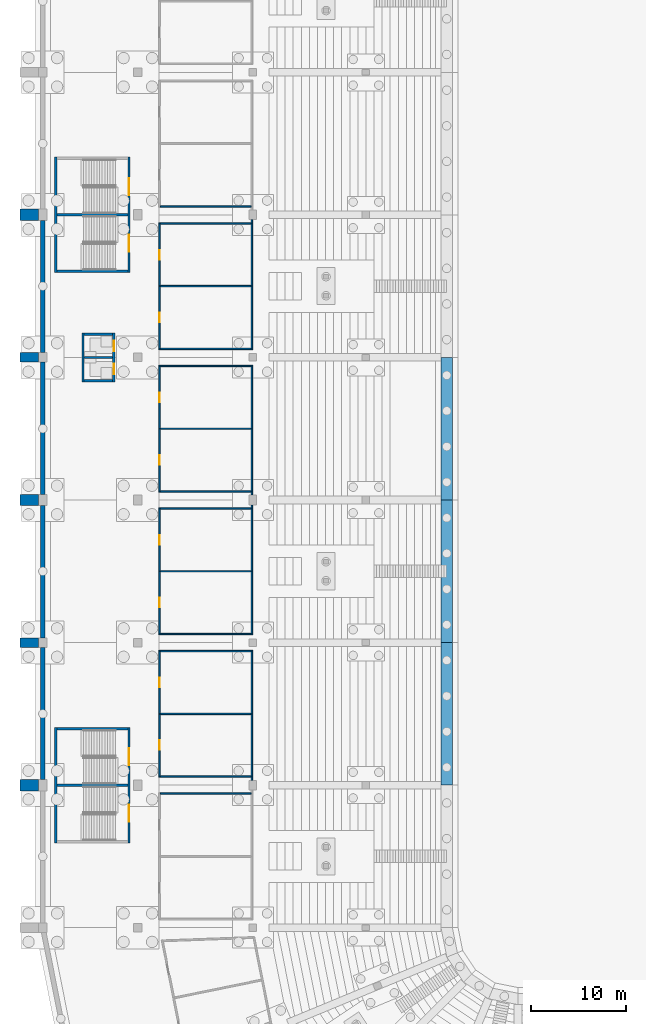
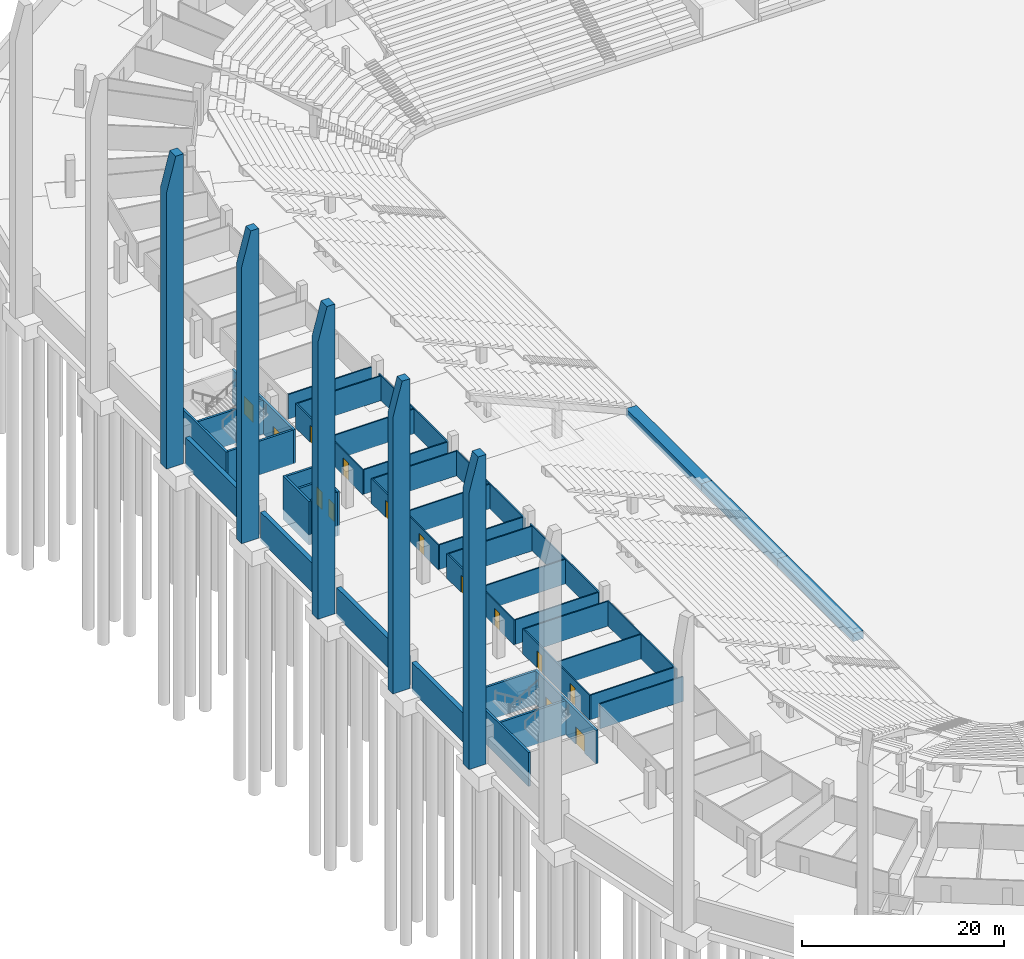
# One storey, part 25 of 115: 47 walls, 14 doors, 14 openings.
"""IFC4 building model written with IfcOpenShell, lengths in metres."""

import ifcopenshell
import ifcopenshell.guid

model = None  # the IFC model being written
_history = None  # IfcOwnerHistory: only IFC2X3 demands one
_inside = {}  # id of a spatial element -> (the spatial element, [elements in it])
_under = {}  # id of a project, library or spatial element -> (it, [spatial elements below it])
_declared = {}  # id of a project -> (the project, [libraries it declares])
_typed = {}  # id of a type object -> (the type object, [elements of that type])
_made_of = {}  # id of a material, layer set ... -> (it, [elements and type objects made of it])


def new_model(schema):
    """Start an empty IFC model of exactly this schema.

    Asked for "IFC4X3", IfcOpenShell would pick the latest addendum, in which some entities
    have other attributes; the version numbers below select the first issue.
    IFC2X3 requires an IfcOwnerHistory on every rooted entity: one is made here for all.
    """
    global model, _history
    if schema == "IFC4X3":
        model = ifcopenshell.file(schema_version=(4, 3, 0, 0))
    else:
        model = ifcopenshell.file(schema=schema)
    _inside.clear()
    _under.clear()
    _declared.clear()
    _typed.clear()
    _made_of.clear()
    _history = None
    if model.schema == "IFC2X3":
        org = make("IfcOrganization", Name="unknown")
        user = make(
            "IfcPersonAndOrganization",
            ThePerson=make("IfcPerson", FamilyName="unknown"),
            TheOrganization=org,
        )
        app = make(
            "IfcApplication",
            ApplicationDeveloper=org,
            Version="unknown",
            ApplicationFullName="unknown",
            ApplicationIdentifier="unknown",
        )
        _history = make(
            "IfcOwnerHistory",
            OwningUser=user,
            OwningApplication=app,
            ChangeAction="ADDED",
            CreationDate=0,
        )
    return model


def make(cls, **values):
    """One entity of the class cls with the attributes given. An attribute that is None is left unset."""
    return model.create_entity(
        cls, **{name: value for name, value in values.items() if value is not None}
    )


def rooted(cls, **values):
    """An entity with a GlobalId (a new one), such as an element, a storey or a relation."""
    return make(cls, GlobalId=ifcopenshell.guid.new(), OwnerHistory=_history, **values)


def si_unit(unit_type, name, prefix=None):
    """IfcSIUnit, for example si_unit("LENGTHUNIT", "METRE", prefix="MILLI")."""
    return make("IfcSIUnit", UnitType=unit_type, Prefix=prefix, Name=name)


def assignment(units):
    """IfcUnitAssignment: the units of a project."""
    return None if units is None else make("IfcUnitAssignment", Units=units)


def point(xyz):
    """IfcCartesianPoint."""
    return None if xyz is None else make("IfcCartesianPoint", Coordinates=xyz)


def direction(xyz):
    """IfcDirection."""
    return None if xyz is None else make("IfcDirection", DirectionRatios=xyz)


def frame(location, z_axis=None, x_axis=None):
    """IfcAxis2Placement3D, a coordinate frame: its origin and axes. An axis left out is left unset."""
    return make(
        "IfcAxis2Placement3D",
        Location=point(location),
        Axis=direction(z_axis),
        RefDirection=direction(x_axis),
    )


def frame_2d(location, x_axis=None):
    """IfcAxis2Placement2D, a coordinate frame in the plane: its origin and x axis."""
    return make(
        "IfcAxis2Placement2D", Location=point(location), RefDirection=direction(x_axis)
    )


def origin():
    """The frame at (0, 0, 0) with its axes left unset."""
    return frame((0.0, 0.0, 0.0))


def place(relative_to, where):
    """IfcLocalPlacement: puts the frame where relative to a parent placement (None: the world)."""
    return make(
        "IfcLocalPlacement", PlacementRelTo=relative_to, RelativePlacement=where
    )


def context(
    kind, dimensions, precision=None, world=None, true_north=None, identifier=None
):
    """IfcGeometricRepresentationContext, for example the 3D "Model" context."""
    return make(
        "IfcGeometricRepresentationContext",
        ContextIdentifier=identifier,
        ContextType=kind,
        CoordinateSpaceDimension=dimensions,
        Precision=precision,
        WorldCoordinateSystem=world,
        TrueNorth=true_north,
    )


def subcontext(parent, identifier, kind, view, scale=None):
    """IfcGeometricRepresentationSubContext, for example "Body" below "Model"."""
    return make(
        "IfcGeometricRepresentationSubContext",
        ContextIdentifier=identifier,
        ContextType=kind,
        ParentContext=parent,
        TargetScale=scale,
        TargetView=view,
    )


def project(units=None, contexts=None):
    """IfcProject with its units and contexts."""
    return rooted(
        "IfcProject",
        Name="project",
        RepresentationContexts=contexts,
        UnitsInContext=assignment(units),
    )


def spatial(cls, under=None, at=None, **own):
    """A site, building, storey or space (cls), placed at a placement, below another one or the project."""
    s = rooted(cls, ObjectPlacement=at, **own)
    if under is not None:
        _under.setdefault(under.id(), (under, []))[1].append(s)
    return s


def polyline(points):
    """IfcPolyline through the points."""
    return make("IfcPolyline", Points=[point(p) for p in points])


def profile(cls, at=None, kind="AREA", **sizes):
    """A parametric profile (cls). Its sizes go by their IFC names, for example OverallWidth=200.0."""
    return make(cls, ProfileType=kind, Position=at, **sizes)


def rectangle(**sizes):
    """IfcRectangleProfileDef."""
    return profile("IfcRectangleProfileDef", **sizes)


def outline(outer, holes=None, kind="AREA"):
    """IfcArbitraryClosedProfileDef: a profile drawn as a closed curve; with holes, ...WithVoids."""
    if holes is None:
        return make("IfcArbitraryClosedProfileDef", ProfileType=kind, OuterCurve=outer)
    return make(
        "IfcArbitraryProfileDefWithVoids",
        ProfileType=kind,
        OuterCurve=outer,
        InnerCurves=holes,
    )


def extrude(swept, where, along, depth):
    """IfcExtrudedAreaSolid: the profile swept, set in the frame where, extruded along a direction by depth."""
    return make(
        "IfcExtrudedAreaSolid",
        SweptArea=swept,
        Position=where,
        ExtrudedDirection=direction(along),
        Depth=depth,
    )


def shape(context_of_items, identifier, shape_type, items):
    """IfcShapeRepresentation: the items that make up one representation, for example the "Body"."""
    return make(
        "IfcShapeRepresentation",
        ContextOfItems=context_of_items,
        RepresentationIdentifier=identifier,
        RepresentationType=shape_type,
        Items=items,
    )


def material(Name=None, Category=None):
    """IfcMaterial."""
    return make("IfcMaterial", Name=Name, Category=Category)


def layer(
    of_material, thickness, ventilated=None, Name=None, Category=None, Priority=None
):
    """IfcMaterialLayer: one layer of a wall or slab, of a material (None: an air gap)."""
    return make(
        "IfcMaterialLayer",
        Material=of_material,
        LayerThickness=thickness,
        IsVentilated=ventilated,
        Name=Name,
        Category=Category,
        Priority=Priority,
    )


def layer_set(layers, Name=None):
    """IfcMaterialLayerSet."""
    return make("IfcMaterialLayerSet", MaterialLayers=layers, LayerSetName=Name)


def made_of(thing, what):
    """Note that an element or type object is made of a material, layer set ...; save() writes the relation."""
    if what is not None:
        _made_of.setdefault(what.id(), (what, []))[1].append(thing)
    return thing


def type_object(cls, material=None, **own):
    """A type object (cls), such as IfcWallType, which elements share."""
    return made_of(rooted(cls, **own), material)


def element(
    cls,
    number,
    at=None,
    inside=None,
    cuts=None,
    type_object=None,
    material=None,
    context=None,
    identifier="Body",
    shape_type=None,
    held_by="IfcProductDefinitionShape",
    body=None,
    shapes=None,
    **own,
):
    """One element of the class cls, such as IfcWall. Its Tag is "e" and its number.

    at: its placement. inside: the storey or other place that contains it. cuts: it is an
    opening in that element (IfcRelVoidsElement). A single representation is given by context,
    identifier, shape_type and body (its items); several are given by shapes. held_by: the class
    of the entity that holds the representations. save() writes the other relations.
    """
    e = rooted(cls, Tag="e%d" % number, ObjectPlacement=at, **own)
    if body is not None:
        shapes = [shape(context, identifier, shape_type, body)]
    if shapes is not None:
        e.Representation = make(held_by, Representations=shapes)
    if inside is not None:
        _inside.setdefault(inside.id(), (inside, []))[1].append(e)
    if cuts is not None:
        rooted(
            "IfcRelVoidsElement", RelatingBuildingElement=cuts, RelatedOpeningElement=e
        )
    if type_object is not None:
        _typed.setdefault(type_object.id(), (type_object, []))[1].append(e)
    return made_of(e, material)


def fill(opening, filler):
    """IfcRelFillsElement: the door or window that sits in an opening."""
    return rooted(
        "IfcRelFillsElement",
        RelatingOpeningElement=opening,
        RelatedBuildingElement=filler,
    )


def aggregate(whole, parts):
    """IfcRelAggregates: a whole, such as a stair, and the parts it consists of."""
    return rooted("IfcRelAggregates", RelatingObject=whole, RelatedObjects=parts)


def save(model, path):
    """Write the relations noted so far, then the file.

    IfcRelAggregates (storeys below a building ...), IfcRelContainedInSpatialStructure (elements
    in a storey), IfcRelDefinesByType, IfcRelAssociatesMaterial and IfcRelDeclares: one each for
    every whole, place, type object, material and project.
    """
    for whole, parts in _under.values():
        aggregate(whole, parts)
    for where, things in _inside.values():
        rooted(
            "IfcRelContainedInSpatialStructure",
            RelatedElements=things,
            RelatingStructure=where,
        )
    for kind, things in _typed.values():
        rooted("IfcRelDefinesByType", RelatedObjects=things, RelatingType=kind)
    for what, things in _made_of.values():
        rooted("IfcRelAssociatesMaterial", RelatedObjects=things, RelatingMaterial=what)
    for by, libraries in _declared.values():
        rooted("IfcRelDeclares", RelatingContext=by, RelatedDefinitions=libraries)
    model.write(path)


model = new_model("IFC4")

# Units and contexts
model_context = context("Model", 3, precision=1e-05, world=origin(), true_north=direction((0.0, 1.0)))
body_context = subcontext(model_context, "Body", "Model", "MODEL_VIEW")
ifc_project = project(units=[si_unit("LENGTHUNIT", "METRE"), si_unit("AREAUNIT", "SQUARE_METRE"), si_unit("VOLUMEUNIT", "CUBIC_METRE"), si_unit("PLANEANGLEUNIT", "RADIAN"), si_unit("MASSUNIT", "GRAM", prefix="KILO")], contexts=[model_context])

# Site, building, storey
site_placement = place(None, origin())
site = spatial("IfcSite", under=ifc_project, at=site_placement, CompositionType="ELEMENT")
building_placement = place(site_placement, origin())
building = spatial("IfcBuilding", under=site, at=building_placement, Name="Ogive Plaza Stadium", CompositionType="ELEMENT")
storey_placement = place(building_placement, frame((0.0, 0.0, -4.5)))
storey = spatial("IfcBuildingStorey", under=building, at=storey_placement, Name="B1", CompositionType="ELEMENT", Elevation=-4.5)

# Walls
ifc_material_1 = material(Name="Masonry blockwork", Category="masonry")
ifc_layer_1 = layer(ifc_material_1, 0.14990234375)
ifc_layer_set_1 = layer_set([ifc_layer_1], Name="Blockwork wall 150")
wall_type_1 = type_object("IfcWallType", Name="Blockwork wall 150", PredefinedType="SOLIDWALL", material=ifc_layer_set_1)
wall_1_placement = place(storey_placement, frame((-62.074951171875, -38.39990234375, 0.0), z_axis=(0.0, 0.0, 1.0), x_axis=(-1.0, 0.0, 0.0)))
element("IfcWall", 1, at=wall_1_placement, inside=storey, type_object=wall_type_1, Name="Wall B1 B21", PredefinedType="SOLIDWALL", context=body_context, shape_type="SweptSolid", body=[
    extrude(rectangle(XDim=9.550048828125, YDim=0.14990234375, at=frame_2d((4.77490234375, 0.0))), origin(), (0.0, 0.0, 1.0), 3.0),
])
wall_2_placement = place(storey_placement, frame((-62.0, -37.0, 0.0), z_axis=(0.0, 0.0, 1.0), x_axis=(0.0, 1.0, 0.0)))
element("IfcWall", 2, at=wall_2_placement, inside=storey, type_object=wall_type_1, Name="Wall B1 B22", PredefinedType="SOLIDWALL", context=body_context, shape_type="SweptSolid", body=[
    extrude(rectangle(XDim=13.675048828125, YDim=0.14990234375, at=frame_2d((6.83740234375, 0.0))), origin(), (0.0, 0.0, 1.0), 3.0),
])

# Wall, openings, doors
wall_3_placement = place(storey_placement, frame((-71.699951171875, -36.675048828125, 0.0), z_axis=(0.0, 0.0, 1.0), x_axis=(0.0, 1.0, 0.0)))
wall_3 = element("IfcWall", 3, at=wall_3_placement, inside=storey, type_object=wall_type_1, Name="Wall B1 B22", PredefinedType="SOLIDWALL", context=body_context, shape_type="SweptSolid", body=[
    extrude(rectangle(XDim=13.35009765625, YDim=0.14990234375, at=frame_2d((6.675048828125, 0.0))), origin(), (0.0, 0.0, 1.0), 3.0),
])
opening_1_placement = place(wall_3_placement, frame((2.875, 0.0, 0.0)))
opening_1 = element("IfcOpeningElement", 4, at=opening_1_placement, cuts=wall_3, Name="Opening D0339", PredefinedType="OPENING", context=body_context, shape_type="SweptSolid", body=[
    extrude(rectangle(XDim=1.0, YDim=2.10009765625, at=frame_2d((0.5, 1.050048828125))), frame((0.0, 0.074951171875, 0.0), z_axis=(0.0, -1.0, 0.0), x_axis=(1.0, 0.0, 0.0)), (0.0, 0.0, 1.0), 0.14990234375),
])
opening_2_placement = place(wall_3_placement, frame((9.47509765625, 0.0, 0.0)))
opening_2 = element("IfcOpeningElement", 5, at=opening_2_placement, cuts=wall_3, Name="Opening D0340", PredefinedType="OPENING", context=body_context, shape_type="SweptSolid", body=[
    extrude(rectangle(XDim=1.0, YDim=2.10009765625, at=frame_2d((0.5, 1.050048828125))), frame((0.0, 0.074951171875, 0.0), z_axis=(0.0, -1.0, 0.0), x_axis=(1.0, 0.0, 0.0)), (0.0, 0.0, 1.0), 0.14990234375),
])
ifc_material_2 = material(Name="Steel ASTM A572 Grade 50", Category="steel")
door_type_1 = type_object("IfcDoorType", Name="Fire door FD60 1000 x 2100", OperationType="SINGLE_SWING_LEFT", PredefinedType="DOOR", material=ifc_material_2)
door_1_placement = place(opening_1_placement, origin())
door_1 = element("IfcDoor", 6, at=door_1_placement, inside=storey, type_object=door_type_1, Name="Home Team Medical Room B22 door", OperationType="SINGLE_SWING_RIGHT", OverallHeight=2.10009765625, OverallWidth=1.0, PredefinedType="DOOR", context=body_context, shape_type="SweptSolid", body=[
    extrude(rectangle(XDim=1.0, YDim=2.10009765625, at=frame_2d((0.5, 1.050048828125))), frame((0.0, 0.02490234375, 0.0), z_axis=(0.0, -1.0, 0.0), x_axis=(1.0, 0.0, 0.0)), (0.0, 0.0, 1.0), 0.050048828125),
])
fill(opening_1, door_1)
door_2_placement = place(opening_2_placement, origin())
door_2 = element("IfcDoor", 7, at=door_2_placement, inside=storey, type_object=door_type_1, Name="Warm-up Room B22 door", OperationType="SINGLE_SWING_LEFT", OverallHeight=2.10009765625, OverallWidth=1.0, PredefinedType="DOOR", context=body_context, shape_type="SweptSolid", body=[
    extrude(rectangle(XDim=1.0, YDim=2.10009765625, at=frame_2d((0.5, 1.050048828125))), frame((0.0, 0.02490234375, 0.0), z_axis=(0.0, -1.0, 0.0), x_axis=(1.0, 0.0, 0.0)), (0.0, 0.0, 1.0), 0.050048828125),
])
fill(opening_2, door_2)

# Walls
for number, where, z_axis, x_axis, name in (
    (8, (-62.074951171875, -36.60009765625, 0.0), (0.0, 0.0, 1.0), (-1.0, 0.0, 0.0), "Wall B1 B22"),
    (9, (-62.074951171875, -30.0, 0.0), (0.0, 0.0, 1.0), (-1.0, 0.0, 0.0), "Wall B1 B22"),
    (10, (-62.074951171875, -23.39990234375, 0.0), (0.0, 0.0, 1.0), (-1.0, 0.0, 0.0), "Wall B1 B22"),
):
    element("IfcWall", number, at=place(storey_placement, frame(where, z_axis=z_axis, x_axis=x_axis)), inside=storey, type_object=wall_type_1, Name=name, PredefinedType="SOLIDWALL", context=body_context, shape_type="SweptSolid", body=[
        extrude(rectangle(XDim=9.550048828125, YDim=0.14990234375, at=frame_2d((4.77490234375, 0.0))), origin(), (0.0, 0.0, 1.0), 3.0),
    ])
wall_4_placement = place(storey_placement, frame((-62.0, -8.0, 0.0), z_axis=(0.0, 0.0, 1.0), x_axis=(0.0, -1.0, 0.0)))
element("IfcWall", 11, at=wall_4_placement, inside=storey, type_object=wall_type_1, Name="Wall B1 B23", PredefinedType="SOLIDWALL", context=body_context, shape_type="SweptSolid", body=[
    extrude(rectangle(XDim=13.675048828125, YDim=0.14990234375, at=frame_2d((6.83740234375, 0.0))), origin(), (0.0, 0.0, 1.0), 3.0),
])

# Wall, openings, doors
wall_5_placement = place(storey_placement, frame((-71.699951171875, -8.324951171875, 0.0), z_axis=(0.0, 0.0, 1.0), x_axis=(0.0, -1.0, 0.0)))
wall_5 = element("IfcWall", 12, at=wall_5_placement, inside=storey, type_object=wall_type_1, Name="Wall B1 B23", PredefinedType="SOLIDWALL", context=body_context, shape_type="SweptSolid", body=[
    extrude(rectangle(XDim=13.35009765625, YDim=0.14990234375, at=frame_2d((6.675048828125, 0.0))), origin(), (0.0, 0.0, 1.0), 3.0),
])
opening_3_placement = place(wall_5_placement, frame((2.875, 0.0, 0.0)))
opening_3 = element("IfcOpeningElement", 13, at=opening_3_placement, cuts=wall_5, Name="Opening D0341", PredefinedType="OPENING", context=body_context, shape_type="SweptSolid", body=[
    extrude(rectangle(XDim=1.0, YDim=2.10009765625, at=frame_2d((0.5, 1.050048828125))), frame((0.0, 0.074951171875, 0.0), z_axis=(0.0, -1.0, 0.0), x_axis=(1.0, 0.0, 0.0)), (0.0, 0.0, 1.0), 0.14990234375),
])
opening_4_placement = place(wall_5_placement, frame((9.47509765625, 0.0, 0.0)))
opening_4 = element("IfcOpeningElement", 14, at=opening_4_placement, cuts=wall_5, Name="Opening D0342", PredefinedType="OPENING", context=body_context, shape_type="SweptSolid", body=[
    extrude(rectangle(XDim=1.0, YDim=2.10009765625, at=frame_2d((0.5, 1.050048828125))), frame((0.0, 0.074951171875, 0.0), z_axis=(0.0, -1.0, 0.0), x_axis=(1.0, 0.0, 0.0)), (0.0, 0.0, 1.0), 0.14990234375),
])
door_3_placement = place(opening_3_placement, origin())
door_3 = element("IfcDoor", 15, at=door_3_placement, inside=storey, type_object=door_type_1, Name="Warm-up Room B23 door", OperationType="SINGLE_SWING_LEFT", OverallHeight=2.10009765625, OverallWidth=1.0, PredefinedType="DOOR", context=body_context, shape_type="SweptSolid", body=[
    extrude(rectangle(XDim=1.0, YDim=2.10009765625, at=frame_2d((0.5, 1.050048828125))), frame((0.0, 0.02490234375, 0.0), z_axis=(0.0, -1.0, 0.0), x_axis=(1.0, 0.0, 0.0)), (0.0, 0.0, 1.0), 0.050048828125),
])
fill(opening_3, door_3)
door_4_placement = place(opening_4_placement, origin())
door_4 = element("IfcDoor", 16, at=door_4_placement, inside=storey, type_object=door_type_1, Name="Away Team Changing Room B23 door", OperationType="SINGLE_SWING_RIGHT", OverallHeight=2.10009765625, OverallWidth=1.0, PredefinedType="DOOR", context=body_context, shape_type="SweptSolid", body=[
    extrude(rectangle(XDim=1.0, YDim=2.10009765625, at=frame_2d((0.5, 1.050048828125))), frame((0.0, 0.02490234375, 0.0), z_axis=(0.0, -1.0, 0.0), x_axis=(1.0, 0.0, 0.0)), (0.0, 0.0, 1.0), 0.050048828125),
])
fill(opening_4, door_4)

# Walls
for number, where, z_axis, x_axis, name in (
    (17, (-62.074951171875, -8.39990234375, 0.0), (0.0, 0.0, 1.0), (-1.0, 0.0, 0.0), "Wall B1 B23"),
    (18, (-62.074951171875, -15.0, 0.0), (0.0, 0.0, 1.0), (-1.0, 0.0, 0.0), "Wall B1 B23"),
    (19, (-62.074951171875, -21.60009765625, 0.0), (0.0, 0.0, 1.0), (-1.0, 0.0, 0.0), "Wall B1 B23"),
):
    element("IfcWall", number, at=place(storey_placement, frame(where, z_axis=z_axis, x_axis=x_axis)), inside=storey, type_object=wall_type_1, Name=name, PredefinedType="SOLIDWALL", context=body_context, shape_type="SweptSolid", body=[
        extrude(rectangle(XDim=9.550048828125, YDim=0.14990234375, at=frame_2d((4.77490234375, 0.0))), origin(), (0.0, 0.0, 1.0), 3.0),
    ])
wall_6_placement = place(storey_placement, frame((-62.0, -7.0, 0.0), z_axis=(0.0, 0.0, 1.0), x_axis=(0.0, 1.0, 0.0)))
element("IfcWall", 20, at=wall_6_placement, inside=storey, type_object=wall_type_1, Name="Wall B1 B24", PredefinedType="SOLIDWALL", context=body_context, shape_type="SweptSolid", body=[
    extrude(rectangle(XDim=13.675048828125, YDim=0.14990234375, at=frame_2d((6.83740234375, 0.0))), origin(), (0.0, 0.0, 1.0), 3.0),
])

# Wall, openings, doors
wall_7_placement = place(storey_placement, frame((-71.699951171875, -6.675048828125, 0.0), z_axis=(0.0, 0.0, 1.0), x_axis=(0.0, 1.0, 0.0)))
wall_7 = element("IfcWall", 21, at=wall_7_placement, inside=storey, type_object=wall_type_1, Name="Wall B1 B24", PredefinedType="SOLIDWALL", context=body_context, shape_type="SweptSolid", body=[
    extrude(rectangle(XDim=13.35009765625, YDim=0.14990234375, at=frame_2d((6.675048828125, 0.0))), origin(), (0.0, 0.0, 1.0), 3.0),
])
opening_5_placement = place(wall_7_placement, frame((2.875, 0.0, 0.0)))
opening_5 = element("IfcOpeningElement", 22, at=opening_5_placement, cuts=wall_7, Name="Opening D0343", PredefinedType="OPENING", context=body_context, shape_type="SweptSolid", body=[
    extrude(rectangle(XDim=1.0, YDim=2.10009765625, at=frame_2d((0.5, 1.050048828125))), frame((0.0, 0.074951171875, 0.0), z_axis=(0.0, -1.0, 0.0), x_axis=(1.0, 0.0, 0.0)), (0.0, 0.0, 1.0), 0.14990234375),
])
opening_6_placement = place(wall_7_placement, frame((9.47509765625, 0.0, 0.0)))
opening_6 = element("IfcOpeningElement", 23, at=opening_6_placement, cuts=wall_7, Name="Opening D0344", PredefinedType="OPENING", context=body_context, shape_type="SweptSolid", body=[
    extrude(rectangle(XDim=1.0, YDim=2.10009765625, at=frame_2d((0.5, 1.050048828125))), frame((0.0, 0.074951171875, 0.0), z_axis=(0.0, -1.0, 0.0), x_axis=(1.0, 0.0, 0.0)), (0.0, 0.0, 1.0), 0.14990234375),
])
door_5_placement = place(opening_5_placement, origin())
door_5 = element("IfcDoor", 24, at=door_5_placement, inside=storey, type_object=door_type_1, Name="Away Team Changing Room B24 door", OperationType="SINGLE_SWING_RIGHT", OverallHeight=2.10009765625, OverallWidth=1.0, PredefinedType="DOOR", context=body_context, shape_type="SweptSolid", body=[
    extrude(rectangle(XDim=1.0, YDim=2.10009765625, at=frame_2d((0.5, 1.050048828125))), frame((0.0, 0.02490234375, 0.0), z_axis=(0.0, -1.0, 0.0), x_axis=(1.0, 0.0, 0.0)), (0.0, 0.0, 1.0), 0.050048828125),
])
fill(opening_5, door_5)
door_6_placement = place(opening_6_placement, origin())
door_6 = element("IfcDoor", 25, at=door_6_placement, inside=storey, type_object=door_type_1, Name="Away Team Medical Room B24 door", OperationType="SINGLE_SWING_LEFT", OverallHeight=2.10009765625, OverallWidth=1.0, PredefinedType="DOOR", context=body_context, shape_type="SweptSolid", body=[
    extrude(rectangle(XDim=1.0, YDim=2.10009765625, at=frame_2d((0.5, 1.050048828125))), frame((0.0, 0.02490234375, 0.0), z_axis=(0.0, -1.0, 0.0), x_axis=(1.0, 0.0, 0.0)), (0.0, 0.0, 1.0), 0.050048828125),
])
fill(opening_6, door_6)

# Walls
for number, where, z_axis, x_axis, name in (
    (26, (-62.074951171875, -6.60009765625, 0.0), (0.0, 0.0, 1.0), (-1.0, 0.0, 0.0), "Wall B1 B24"),
    (27, (-62.074951171875, 0.0, 0.0), (0.0, 0.0, 1.0), (-1.0, 0.0, 0.0), "Wall B1 B24"),
    (28, (-62.074951171875, 6.60009765625, 0.0), (0.0, 0.0, 1.0), (-1.0, 0.0, 0.0), "Wall B1 B24"),
):
    element("IfcWall", number, at=place(storey_placement, frame(where, z_axis=z_axis, x_axis=x_axis)), inside=storey, type_object=wall_type_1, Name=name, PredefinedType="SOLIDWALL", context=body_context, shape_type="SweptSolid", body=[
        extrude(rectangle(XDim=9.550048828125, YDim=0.14990234375, at=frame_2d((4.77490234375, 0.0))), origin(), (0.0, 0.0, 1.0), 3.0),
    ])
wall_8_placement = place(storey_placement, frame((-62.0, 22.0, 0.0), z_axis=(0.0, 0.0, 1.0), x_axis=(0.0, -1.0, 0.0)))
element("IfcWall", 29, at=wall_8_placement, inside=storey, type_object=wall_type_1, Name="Wall B1 B25", PredefinedType="SOLIDWALL", context=body_context, shape_type="SweptSolid", body=[
    extrude(rectangle(XDim=13.675048828125, YDim=0.14990234375, at=frame_2d((6.83740234375, 0.0))), origin(), (0.0, 0.0, 1.0), 3.0),
])

# Wall, openings, doors
wall_9_placement = place(storey_placement, frame((-71.699951171875, 21.675048828125, 0.0), z_axis=(0.0, 0.0, 1.0), x_axis=(0.0, -1.0, 0.0)))
wall_9 = element("IfcWall", 30, at=wall_9_placement, inside=storey, type_object=wall_type_1, Name="Wall B1 B25", PredefinedType="SOLIDWALL", context=body_context, shape_type="SweptSolid", body=[
    extrude(rectangle(XDim=13.35009765625, YDim=0.14990234375, at=frame_2d((6.675048828125, 0.0))), origin(), (0.0, 0.0, 1.0), 3.0),
])
opening_7_placement = place(wall_9_placement, frame((2.875, 0.0, 0.0)))
opening_7 = element("IfcOpeningElement", 31, at=opening_7_placement, cuts=wall_9, Name="Opening D0345", PredefinedType="OPENING", context=body_context, shape_type="SweptSolid", body=[
    extrude(rectangle(XDim=1.0, YDim=2.10009765625, at=frame_2d((0.5, 1.050048828125))), frame((0.0, 0.074951171875, 0.0), z_axis=(0.0, -1.0, 0.0), x_axis=(1.0, 0.0, 0.0)), (0.0, 0.0, 1.0), 0.14990234375),
])
opening_8_placement = place(wall_9_placement, frame((9.47509765625, 0.0, 0.0)))
opening_8 = element("IfcOpeningElement", 32, at=opening_8_placement, cuts=wall_9, Name="Opening D0346", PredefinedType="OPENING", context=body_context, shape_type="SweptSolid", body=[
    extrude(rectangle(XDim=1.0, YDim=2.10009765625, at=frame_2d((0.5, 1.050048828125))), frame((0.0, 0.074951171875, 0.0), z_axis=(0.0, -1.0, 0.0), x_axis=(1.0, 0.0, 0.0)), (0.0, 0.0, 1.0), 0.14990234375),
])
door_7_placement = place(opening_7_placement, origin())
door_7 = element("IfcDoor", 33, at=door_7_placement, inside=storey, type_object=door_type_1, Name="Away Team Medical Room B25 door", OperationType="SINGLE_SWING_LEFT", OverallHeight=2.10009765625, OverallWidth=1.0, PredefinedType="DOOR", context=body_context, shape_type="SweptSolid", body=[
    extrude(rectangle(XDim=1.0, YDim=2.10009765625, at=frame_2d((0.5, 1.050048828125))), frame((0.0, 0.02490234375, 0.0), z_axis=(0.0, -1.0, 0.0), x_axis=(1.0, 0.0, 0.0)), (0.0, 0.0, 1.0), 0.050048828125),
])
fill(opening_7, door_7)
door_8_placement = place(opening_8_placement, origin())
door_8 = element("IfcDoor", 34, at=door_8_placement, inside=storey, type_object=door_type_1, Name="Match Officials Room B25 door", OperationType="SINGLE_SWING_RIGHT", OverallHeight=2.10009765625, OverallWidth=1.0, PredefinedType="DOOR", context=body_context, shape_type="SweptSolid", body=[
    extrude(rectangle(XDim=1.0, YDim=2.10009765625, at=frame_2d((0.5, 1.050048828125))), frame((0.0, 0.02490234375, 0.0), z_axis=(0.0, -1.0, 0.0), x_axis=(1.0, 0.0, 0.0)), (0.0, 0.0, 1.0), 0.050048828125),
])
fill(opening_8, door_8)

# Walls
for number, where, z_axis, x_axis, name in (
    (35, (-62.074951171875, 21.60009765625, 0.0), (0.0, 0.0, 1.0), (-1.0, 0.0, 0.0), "Wall B1 B25"),
    (36, (-62.074951171875, 15.0, 0.0), (0.0, 0.0, 1.0), (-1.0, 0.0, 0.0), "Wall B1 B25"),
    (37, (-62.074951171875, 8.39990234375, 0.0), (0.0, 0.0, 1.0), (-1.0, 0.0, 0.0), "Wall B1 B25"),
    (38, (-62.074951171875, 23.39990234375, 0.0), (0.0, 0.0, 1.0), (-1.0, 0.0, 0.0), "Wall B1 B26"),
):
    element("IfcWall", number, at=place(storey_placement, frame(where, z_axis=z_axis, x_axis=x_axis)), inside=storey, type_object=wall_type_1, Name=name, PredefinedType="SOLIDWALL", context=body_context, shape_type="SweptSolid", body=[
        extrude(rectangle(XDim=9.550048828125, YDim=0.14990234375, at=frame_2d((4.77490234375, 0.0))), origin(), (0.0, 0.0, 1.0), 3.0),
    ])
ifc_material_3 = material(Name="Concrete C45/55 precast", Category="concrete")
ifc_layer_2 = layer(ifc_material_3, 0.949951171875)
ifc_material_4 = material(Name="Cast stone (reconstituted limestone)", Category="masonry")
ifc_layer_3 = layer(ifc_material_4, 0.050048828125)
ifc_layer_set_2 = layer_set([ifc_layer_2, ifc_layer_3], Name="Concrete C45/55 precast, cast stone facing")
wall_type_2 = type_object("IfcWallType", Name="Buttress pier 1000", PredefinedType="SOLIDWALL", material=ifc_layer_set_2)
for number, where, z_axis, x_axis, name in (
    (39, (-84.449951171875, -22.5, 0.0), (0.0, 0.0, 1.0), (-1.0, 0.0, 0.0), "BUTTRESS PIER R23"),
    (40, (-84.449951171875, 7.5, 0.0), (0.0, 0.0, 1.0), (-1.0, 0.0, 0.0), "BUTTRESS PIER R25"),
):
    element("IfcWall", number, at=place(storey_placement, frame(where, z_axis=z_axis, x_axis=x_axis)), inside=storey, type_object=wall_type_2, Name=name, PredefinedType="SOLIDWALL", context=body_context, shape_type="SweptSolid", body=[
        extrude(outline(polyline([(0.0, 0.0), (1.949951171875, 0.0), (1.949951171875, 33.5), (0.89990234375, 37.5), (0.0, 37.5), (0.0, 0.0)])), frame((0.0, 0.5, 0.0), z_axis=(0.0, -1.0, 0.0), x_axis=(1.0, 0.0, 0.0)), (0.0, 0.0, 1.0), 1.0),
    ])
ifc_material_5 = material(Name="Concrete C45/55 precast", Category="concrete")
ifc_layer_4 = layer(ifc_material_5, 1.14990234375)
ifc_material_6 = material(Name="Cast stone (reconstituted limestone)", Category="masonry")
ifc_layer_5 = layer(ifc_material_6, 0.050048828125)
ifc_layer_set_3 = layer_set([ifc_layer_4, ifc_layer_5], Name="Concrete C45/55 precast, cast stone facing")
wall_type_3 = type_object("IfcWallType", Name="Buttress pier 1200", PredefinedType="SOLIDWALL", material=ifc_layer_set_3)
for number, where, z_axis, x_axis, name in (
    (41, (-84.449951171875, -37.5, 0.0), (0.0, 0.0, 1.0), (-1.0, 0.0, 0.0), "BUTTRESS PIER R22"),
    (42, (-84.449951171875, -7.5, 0.0), (0.0, 0.0, 1.0), (-1.0, 0.0, 0.0), "BUTTRESS PIER R24"),
    (43, (-84.449951171875, 22.5, 0.0), (0.0, 0.0, 1.0), (-1.0, 0.0, 0.0), "BUTTRESS PIER R26"),
):
    element("IfcWall", number, at=place(storey_placement, frame(where, z_axis=z_axis, x_axis=x_axis)), inside=storey, type_object=wall_type_3, Name=name, PredefinedType="SOLIDWALL", context=body_context, shape_type="SweptSolid", body=[
        extrude(outline(polyline([(0.0, 0.0), (1.949951171875, 0.0), (1.949951171875, 33.5), (0.89990234375, 37.5), (0.0, 37.5), (0.0, 0.0)])), frame((0.0, 0.60009765625, 0.0), z_axis=(0.0, -1.0, 0.0), x_axis=(1.0, 0.0, 0.0)), (0.0, 0.0, 1.0), 1.199951171875),
    ])

# Wall, openings, doors
ifc_material_7 = material(Name="Concrete C40/50", Category="concrete")
ifc_layer_6 = layer(ifc_material_7, 0.25)
ifc_layer_set_4 = layer_set([ifc_layer_6], Name="Concrete C40/50")
wall_type_4 = type_object("IfcWallType", Name="Core wall 250", PredefinedType="SHEAR", material=ifc_layer_set_4)
wall_10_placement = place(storey_placement, frame((-74.925048828125, -31.425048828125, 0.0), z_axis=(0.0, 0.0, 1.0), x_axis=(0.0, -1.0, 0.0)))
wall_10 = element("IfcWall", 44, at=wall_10_placement, inside=storey, type_object=wall_type_4, Name="Stair core R22 inner wall", PredefinedType="SHEAR", context=body_context, shape_type="SweptSolid", body=[
    extrude(rectangle(XDim=12.14990234375, YDim=0.25, at=frame_2d((6.074951171875, 0.0))), origin(), (0.0, 0.0, 1.0), 4.090087890625),
])
opening_9_placement = place(wall_10_placement, frame((2.199951171875, 0.0, 0.0)))
opening_9 = element("IfcOpeningElement", 45, at=opening_9_placement, cuts=wall_10, Name="Opening D0169", PredefinedType="OPENING", context=body_context, shape_type="SweptSolid", body=[
    extrude(rectangle(XDim=1.800048828125, YDim=2.10009765625, at=frame_2d((0.89990234375, 1.050048828125))), frame((0.0, 0.125, 0.0), z_axis=(0.0, -1.0, 0.0), x_axis=(1.0, 0.0, 0.0)), (0.0, 0.0, 1.0), 0.25),
])
opening_10_placement = place(wall_10_placement, frame((8.14990234375, 0.0, 0.0)))
opening_10 = element("IfcOpeningElement", 46, at=opening_10_placement, cuts=wall_10, Name="Opening D0170", PredefinedType="OPENING", context=body_context, shape_type="SweptSolid", body=[
    extrude(rectangle(XDim=1.800048828125, YDim=2.10009765625, at=frame_2d((0.89990234375, 1.050048828125))), frame((0.0, 0.125, 0.0), z_axis=(0.0, -1.0, 0.0), x_axis=(1.0, 0.0, 0.0)), (0.0, 0.0, 1.0), 0.25),
])
ifc_material_8 = material(Name="Steel ASTM A572 Grade 50", Category="steel")
door_type_2 = type_object("IfcDoorType", Name="Fire door FD90 pair 1800 x 2100", OperationType="DOUBLE_DOOR_SINGLE_SWING", PredefinedType="DOOR", material=ifc_material_8)
door_9_placement = place(opening_9_placement, origin())
door_9 = element("IfcDoor", 47, at=door_9_placement, inside=storey, type_object=door_type_2, Name="Exit stair R22A door B1", OperationType="DOUBLE_DOOR_SINGLE_SWING", OverallHeight=2.10009765625, OverallWidth=1.800048828125, PredefinedType="DOOR", context=body_context, shape_type="SweptSolid", body=[
    extrude(rectangle(XDim=1.800048828125, YDim=2.10009765625, at=frame_2d((0.89990234375, 1.050048828125))), frame((0.0, 0.02490234375, 0.0), z_axis=(0.0, -1.0, 0.0), x_axis=(1.0, 0.0, 0.0)), (0.0, 0.0, 1.0), 0.050048828125),
])
fill(opening_9, door_9)
door_10_placement = place(opening_10_placement, origin())
door_10 = element("IfcDoor", 48, at=door_10_placement, inside=storey, type_object=door_type_2, Name="Exit stair R22B door B1", OperationType="DOUBLE_DOOR_SINGLE_SWING", OverallHeight=2.10009765625, OverallWidth=1.800048828125, PredefinedType="DOOR", context=body_context, shape_type="SweptSolid", body=[
    extrude(rectangle(XDim=1.800048828125, YDim=2.10009765625, at=frame_2d((0.89990234375, 1.050048828125))), frame((0.0, 0.02490234375, 0.0), z_axis=(0.0, -1.0, 0.0), x_axis=(1.0, 0.0, 0.0)), (0.0, 0.0, 1.0), 0.050048828125),
])
fill(opening_10, door_10)

# Walls
wall_11_placement = place(storey_placement, frame((-82.635009765625, -31.425048828125, 0.0), z_axis=(0.0, 0.0, 1.0), x_axis=(0.0, -1.0, 0.0)))
element("IfcWall", 49, at=wall_11_placement, inside=storey, type_object=wall_type_4, Name="Stair core R22 outer wall", PredefinedType="SHEAR", context=body_context, shape_type="SweptSolid", body=[
    extrude(rectangle(XDim=12.14990234375, YDim=0.25, at=frame_2d((6.074951171875, 0.0))), origin(), (0.0, 0.0, 1.0), 4.090087890625),
])
for number, where, z_axis, x_axis, name in (
    (50, (-75.050048828125, -31.550048828125, 0.0), (0.0, 0.0, 1.0), (-1.0, 0.0, 0.0), "Stair core R22 side wall"),
    (51, (-75.050048828125, -37.5, 0.0), (0.0, 0.0, 1.0), (-1.0, 0.0, 0.0), "Stair core R22 centre wall"),
):
    element("IfcWall", number, at=place(storey_placement, frame(where, z_axis=z_axis, x_axis=x_axis)), inside=storey, type_object=wall_type_4, Name=name, PredefinedType="SHEAR", context=body_context, shape_type="SweptSolid", body=[
        extrude(rectangle(XDim=7.4599609375, YDim=0.25, at=frame_2d((3.72998046875, 0.0))), origin(), (0.0, 0.0, 1.0), 4.090087890625),
    ])

# Wall, openings, doors
wall_12_placement = place(storey_placement, frame((-74.925048828125, 28.574951171875, 0.0), z_axis=(0.0, 0.0, 1.0), x_axis=(0.0, -1.0, 0.0)))
wall_12 = element("IfcWall", 52, at=wall_12_placement, inside=storey, type_object=wall_type_4, Name="Stair core R26 inner wall", PredefinedType="SHEAR", context=body_context, shape_type="SweptSolid", body=[
    extrude(rectangle(XDim=12.14990234375, YDim=0.25, at=frame_2d((6.074951171875, 0.0))), origin(), (0.0, 0.0, 1.0), 4.090087890625),
])
opening_11_placement = place(wall_12_placement, frame((2.199951171875, 0.0, 0.0)))
opening_11 = element("IfcOpeningElement", 53, at=opening_11_placement, cuts=wall_12, Name="Opening D0195", PredefinedType="OPENING", context=body_context, shape_type="SweptSolid", body=[
    extrude(rectangle(XDim=1.800048828125, YDim=2.10009765625, at=frame_2d((0.89990234375, 1.050048828125))), frame((0.0, 0.125, 0.0), z_axis=(0.0, -1.0, 0.0), x_axis=(1.0, 0.0, 0.0)), (0.0, 0.0, 1.0), 0.25),
])
opening_12_placement = place(wall_12_placement, frame((8.14990234375, 0.0, 0.0)))
opening_12 = element("IfcOpeningElement", 54, at=opening_12_placement, cuts=wall_12, Name="Opening D0196", PredefinedType="OPENING", context=body_context, shape_type="SweptSolid", body=[
    extrude(rectangle(XDim=1.800048828125, YDim=2.10009765625, at=frame_2d((0.89990234375, 1.050048828125))), frame((0.0, 0.125, 0.0), z_axis=(0.0, -1.0, 0.0), x_axis=(1.0, 0.0, 0.0)), (0.0, 0.0, 1.0), 0.25),
])
door_11_placement = place(opening_11_placement, origin())
door_11 = element("IfcDoor", 55, at=door_11_placement, inside=storey, type_object=door_type_2, Name="Exit stair R26A door B1", OperationType="DOUBLE_DOOR_SINGLE_SWING", OverallHeight=2.10009765625, OverallWidth=1.800048828125, PredefinedType="DOOR", context=body_context, shape_type="SweptSolid", body=[
    extrude(rectangle(XDim=1.800048828125, YDim=2.10009765625, at=frame_2d((0.89990234375, 1.050048828125))), frame((0.0, 0.02490234375, 0.0), z_axis=(0.0, -1.0, 0.0), x_axis=(1.0, 0.0, 0.0)), (0.0, 0.0, 1.0), 0.050048828125),
])
fill(opening_11, door_11)
door_12_placement = place(opening_12_placement, origin())
door_12 = element("IfcDoor", 56, at=door_12_placement, inside=storey, type_object=door_type_2, Name="Exit stair R26B door B1", OperationType="DOUBLE_DOOR_SINGLE_SWING", OverallHeight=2.10009765625, OverallWidth=1.800048828125, PredefinedType="DOOR", context=body_context, shape_type="SweptSolid", body=[
    extrude(rectangle(XDim=1.800048828125, YDim=2.10009765625, at=frame_2d((0.89990234375, 1.050048828125))), frame((0.0, 0.02490234375, 0.0), z_axis=(0.0, -1.0, 0.0), x_axis=(1.0, 0.0, 0.0)), (0.0, 0.0, 1.0), 0.050048828125),
])
fill(opening_12, door_12)

# Walls
wall_13_placement = place(storey_placement, frame((-82.635009765625, 28.574951171875, 0.0), z_axis=(0.0, 0.0, 1.0), x_axis=(0.0, -1.0, 0.0)))
element("IfcWall", 57, at=wall_13_placement, inside=storey, type_object=wall_type_4, Name="Stair core R26 outer wall", PredefinedType="SHEAR", context=body_context, shape_type="SweptSolid", body=[
    extrude(rectangle(XDim=12.14990234375, YDim=0.25, at=frame_2d((6.074951171875, 0.0))), origin(), (0.0, 0.0, 1.0), 4.090087890625),
])
for number, where, z_axis, x_axis, name in (
    (58, (-75.050048828125, 16.550048828125, 0.0), (0.0, 0.0, 1.0), (-1.0, 0.0, 0.0), "Stair core R26 side wall"),
    (59, (-75.050048828125, 22.5, 0.0), (0.0, 0.0, 1.0), (-1.0, 0.0, 0.0), "Stair core R26 centre wall"),
):
    element("IfcWall", number, at=place(storey_placement, frame(where, z_axis=z_axis, x_axis=x_axis)), inside=storey, type_object=wall_type_4, Name=name, PredefinedType="SHEAR", context=body_context, shape_type="SweptSolid", body=[
        extrude(rectangle(XDim=7.4599609375, YDim=0.25, at=frame_2d((3.72998046875, 0.0))), origin(), (0.0, 0.0, 1.0), 4.090087890625),
    ])

# Wall, openings, doors
ifc_material_9 = material(Name="Concrete C40/50", Category="concrete")
ifc_layer_7 = layer(ifc_material_9, 0.25)
ifc_layer_set_5 = layer_set([ifc_layer_7], Name="Concrete C40/50")
wall_type_5 = type_object("IfcWallType", Name="Core wall 250 A", PredefinedType="SHEAR", material=ifc_layer_set_5)
wall_14_placement = place(storey_placement, frame((-76.52490234375, 10.074951171875, -1.199951171875), z_axis=(0.0, 0.0, 1.0), x_axis=(0.0, -1.0, 0.0)))
wall_14 = element("IfcWall", 60, at=wall_14_placement, inside=storey, type_object=wall_type_5, Name="Lift core LP25 landing wall", PredefinedType="SHEAR", context=body_context, shape_type="SweptSolid", body=[
    extrude(rectangle(XDim=5.14990234375, YDim=0.25, at=frame_2d((2.574951171875, 0.0))), origin(), (0.0, 0.0, 1.0), 5.2900390625),
])
opening_13_placement = place(wall_14_placement, frame((0.800048828125, 0.0, 1.199951171875)))
opening_13 = element("IfcOpeningElement", 61, at=opening_13_placement, cuts=wall_14, Name="Opening LD056", PredefinedType="OPENING", context=body_context, shape_type="SweptSolid", body=[
    extrude(rectangle(XDim=1.10009765625, YDim=2.10009765625, at=frame_2d((0.550048828125, 1.050048828125))), frame((0.0, 0.125, 0.0), z_axis=(0.0, -1.0, 0.0), x_axis=(1.0, 0.0, 0.0)), (0.0, 0.0, 1.0), 0.25),
])
opening_14_placement = place(wall_14_placement, frame((3.25, 0.0, 1.199951171875)))
opening_14 = element("IfcOpeningElement", 62, at=opening_14_placement, cuts=wall_14, Name="Opening LD057", PredefinedType="OPENING", context=body_context, shape_type="SweptSolid", body=[
    extrude(rectangle(XDim=1.10009765625, YDim=2.10009765625, at=frame_2d((0.550048828125, 1.050048828125))), frame((0.0, 0.125, 0.0), z_axis=(0.0, -1.0, 0.0), x_axis=(1.0, 0.0, 0.0)), (0.0, 0.0, 1.0), 0.25),
])
ifc_material_10 = material(Name="Steel ASTM A572 Grade 50", Category="steel")
door_type_3 = type_object("IfcDoorType", Name="Landing door 1100 x 2100", OperationType="SLIDING_TO_LEFT", PredefinedType="DOOR", material=ifc_material_10)
door_13_placement = place(opening_13_placement, origin())
door_13 = element("IfcDoor", 63, at=door_13_placement, inside=storey, type_object=door_type_3, Name="Lift landing door LP25 B1", OperationType="SLIDING_TO_LEFT", OverallHeight=2.10009765625, OverallWidth=1.10009765625, PredefinedType="DOOR", context=body_context, shape_type="SweptSolid", body=[
    extrude(rectangle(XDim=1.10009765625, YDim=2.10009765625, at=frame_2d((0.550048828125, 1.050048828125))), frame((0.0, 0.02490234375, 0.0), z_axis=(0.0, -1.0, 0.0), x_axis=(1.0, 0.0, 0.0)), (0.0, 0.0, 1.0), 0.050048828125),
])
fill(opening_13, door_13)
door_14_placement = place(opening_14_placement, origin())
door_14 = element("IfcDoor", 64, at=door_14_placement, inside=storey, type_object=door_type_3, Name="Lift landing door LP25 B1", OperationType="SLIDING_TO_LEFT", OverallHeight=2.10009765625, OverallWidth=1.10009765625, PredefinedType="DOOR", context=body_context, shape_type="SweptSolid", body=[
    extrude(rectangle(XDim=1.10009765625, YDim=2.10009765625, at=frame_2d((0.550048828125, 1.050048828125))), frame((0.0, 0.02490234375, 0.0), z_axis=(0.0, -1.0, 0.0), x_axis=(1.0, 0.0, 0.0)), (0.0, 0.0, 1.0), 0.050048828125),
])
fill(opening_14, door_14)

# Walls
wall_15_placement = place(storey_placement, frame((-79.77490234375, 10.074951171875, -1.199951171875), z_axis=(0.0, 0.0, 1.0), x_axis=(0.0, -1.0, 0.0)))
element("IfcWall", 65, at=wall_15_placement, inside=storey, type_object=wall_type_5, Name="Lift core LP25 rear wall", PredefinedType="SHEAR", context=body_context, shape_type="SweptSolid", body=[
    extrude(rectangle(XDim=5.14990234375, YDim=0.25, at=frame_2d((2.574951171875, 0.0))), origin(), (0.0, 0.0, 1.0), 5.2900390625),
])
for number, where, z_axis, x_axis, name in (
    (66, (-76.64990234375, 9.949951171875, -1.199951171875), (0.0, 0.0, 1.0), (-1.0, 0.0, 0.0), "Lift core LP25 side wall"),
    (67, (-76.64990234375, 5.050048828125, -1.199951171875), (0.0, 0.0, 1.0), (-1.0, 0.0, 0.0), "Lift core LP25 side wall"),
    (68, (-76.64990234375, 7.5, -1.199951171875), (0.0, 0.0, 1.0), (-1.0, 0.0, 0.0), "Lift core LP25 centre wall"),
):
    element("IfcWall", number, at=place(storey_placement, frame(where, z_axis=z_axis, x_axis=x_axis)), inside=storey, type_object=wall_type_5, Name=name, PredefinedType="SHEAR", context=body_context, shape_type="SweptSolid", body=[
        extrude(rectangle(XDim=3.0, YDim=0.25, at=frame_2d((1.5, 0.0))), origin(), (0.0, 0.0, 1.0), 5.2900390625),
    ])
ifc_material_11 = material(Name="Concrete C40/50", Category="concrete")
ifc_layer_8 = layer(ifc_material_11, 1.199951171875)
ifc_layer_set_6 = layer_set([ifc_layer_8], Name="Concrete C40/50")
wall_type_6 = type_object("IfcWallType", Name="RC front wall 1200", PredefinedType="SOLIDWALL", material=ifc_layer_set_6)
wall_16_placement = place(storey_placement, frame((0.0, 0.0, -0.39990234375)))
element("IfcWall", 69, at=wall_16_placement, inside=storey, type_object=wall_type_6, Name="Front wall B22", PredefinedType="SOLIDWALL", context=body_context, shape_type="SweptSolid", body=[
    extrude(outline(polyline([(-40.89990234375, -22.5), (-42.10009765625, -22.5), (-42.10009765625, -37.5), (-40.89990234375, -37.5), (-40.89990234375, -22.5)])), origin(), (0.0, 0.0, 1.0), 0.949951171875),
])
wall_17_placement = place(storey_placement, frame((0.0, 0.0, -0.39990234375)))
element("IfcWall", 70, at=wall_17_placement, inside=storey, type_object=wall_type_6, Name="Front wall B23", PredefinedType="SOLIDWALL", context=body_context, shape_type="SweptSolid", body=[
    extrude(outline(polyline([(-40.89990234375, -7.5), (-42.10009765625, -7.5), (-42.10009765625, -22.5), (-40.89990234375, -22.5), (-40.89990234375, -7.5)])), origin(), (0.0, 0.0, 1.0), 0.949951171875),
])
wall_18_placement = place(storey_placement, frame((0.0, 0.0, -0.39990234375)))
element("IfcWall", 71, at=wall_18_placement, inside=storey, type_object=wall_type_6, Name="Front wall B24", PredefinedType="SOLIDWALL", context=body_context, shape_type="SweptSolid", body=[
    extrude(outline(polyline([(-40.89990234375, 7.5), (-42.10009765625, 7.5), (-42.10009765625, -7.5), (-40.89990234375, -7.5), (-40.89990234375, 7.5)])), origin(), (0.0, 0.0, 1.0), 0.949951171875),
])
ifc_material_12 = material(Name="Concrete C40/50", Category="concrete")
ifc_layer_9 = layer(ifc_material_12, 0.5)
ifc_layer_set_7 = layer_set([ifc_layer_9], Name="Concrete C40/50")
wall_type_7 = type_object("IfcWallType", Name="RC retaining wall 500", PredefinedType="SOLIDWALL", material=ifc_layer_set_7)
for number, where, z_axis, x_axis, name in (
    (72, (-84.0, -36.89990234375, -0.39990234375), (0.0, 0.0, 1.0), (0.0, 1.0, 0.0), "Retaining wall B22"),
    (73, (-84.0, -22.0, -0.39990234375), (0.0, 0.0, 1.0), (0.0, 1.0, 0.0), "Retaining wall B23"),
    (74, (-84.0, -6.89990234375, -0.39990234375), (0.0, 0.0, 1.0), (0.0, 1.0, 0.0), "Retaining wall B24"),
    (75, (-84.0, 8.0, -0.39990234375), (0.0, 0.0, 1.0), (0.0, 1.0, 0.0), "Retaining wall B25"),
):
    element("IfcWall", number, at=place(storey_placement, frame(where, z_axis=z_axis, x_axis=x_axis)), inside=storey, type_object=wall_type_7, Name=name, PredefinedType="SOLIDWALL", context=body_context, shape_type="SweptSolid", body=[
        extrude(rectangle(XDim=13.89990234375, YDim=0.5, at=frame_2d((6.949951171875, 0.0))), origin(), (0.0, 0.0, 1.0), 3.489990234375),
    ])

save(model, "model.ifc")
